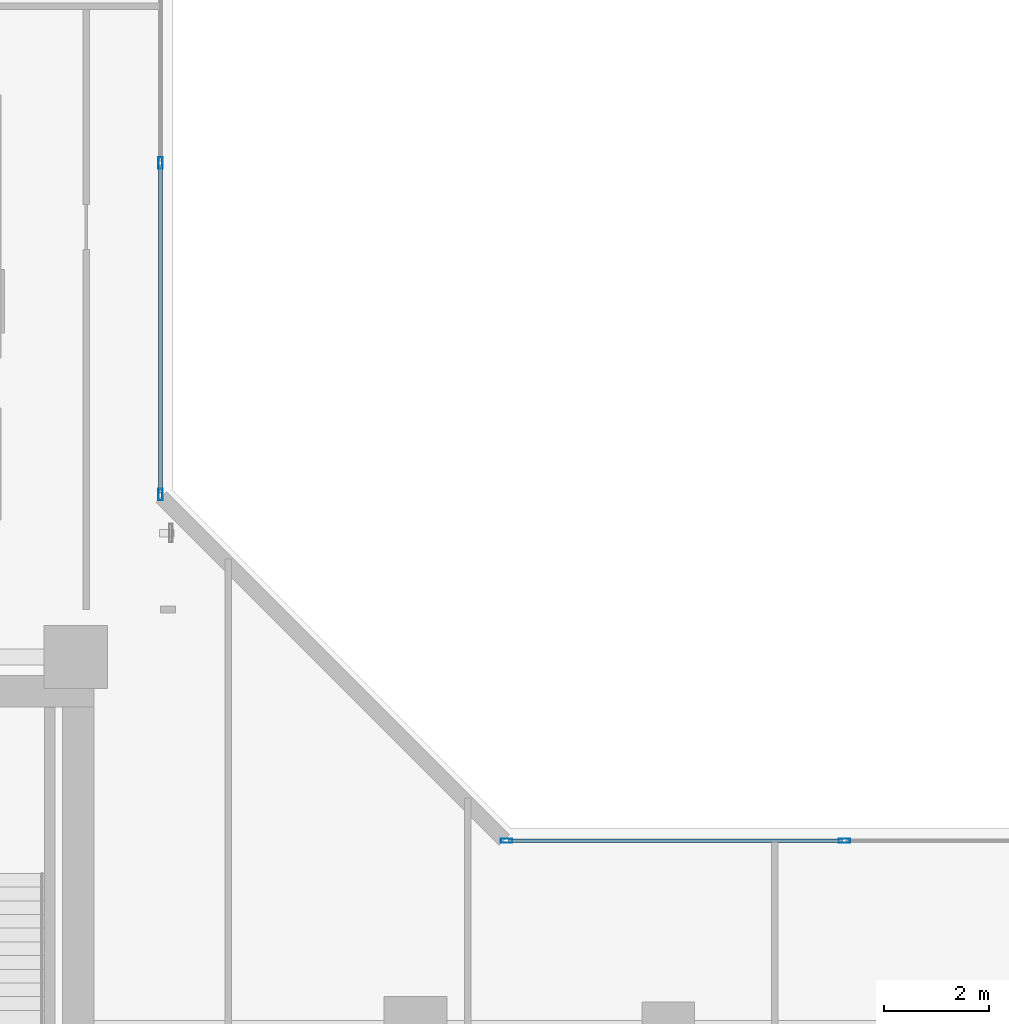
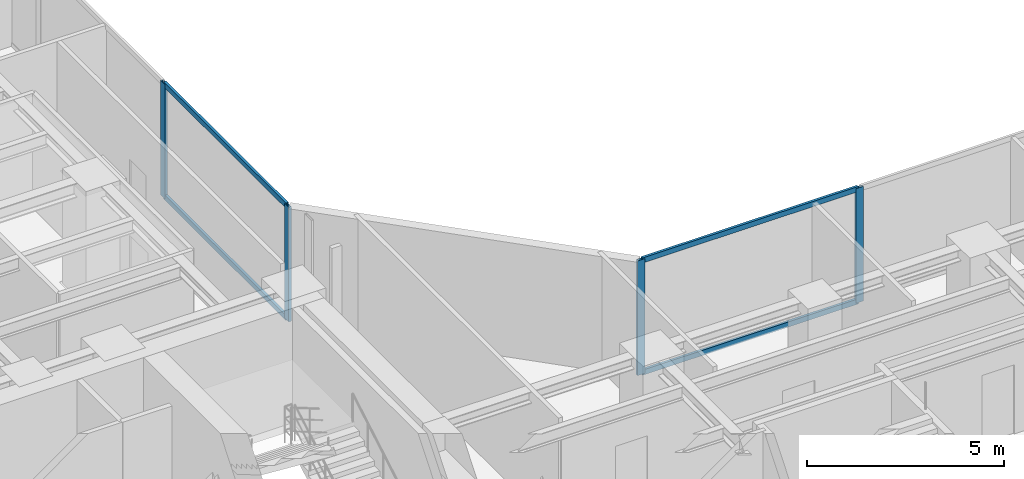
# One storey, part 9 of 24: 8 members, 2 elements without a shape of their own.
"""IFC4 building model written with IfcOpenShell, lengths in metres."""

import ifcopenshell
import ifcopenshell.guid

model = None  # the IFC model being written
_history = None  # IfcOwnerHistory: only IFC2X3 demands one
_inside = {}  # id of a spatial element -> (the spatial element, [elements in it])
_under = {}  # id of a project, library or spatial element -> (it, [spatial elements below it])
_declared = {}  # id of a project -> (the project, [libraries it declares])
_typed = {}  # id of a type object -> (the type object, [elements of that type])
_made_of = {}  # id of a material, layer set ... -> (it, [elements and type objects made of it])


def new_model(schema):
    """Start an empty IFC model of exactly this schema.

    Asked for "IFC4X3", IfcOpenShell would pick the latest addendum, in which some entities
    have other attributes; the version numbers below select the first issue.
    IFC2X3 requires an IfcOwnerHistory on every rooted entity: one is made here for all.
    """
    global model, _history
    if schema == "IFC4X3":
        model = ifcopenshell.file(schema_version=(4, 3, 0, 0))
    else:
        model = ifcopenshell.file(schema=schema)
    _inside.clear()
    _under.clear()
    _declared.clear()
    _typed.clear()
    _made_of.clear()
    _history = None
    if model.schema == "IFC2X3":
        org = make("IfcOrganization", Name="unknown")
        user = make(
            "IfcPersonAndOrganization",
            ThePerson=make("IfcPerson", FamilyName="unknown"),
            TheOrganization=org,
        )
        app = make(
            "IfcApplication",
            ApplicationDeveloper=org,
            Version="unknown",
            ApplicationFullName="unknown",
            ApplicationIdentifier="unknown",
        )
        _history = make(
            "IfcOwnerHistory",
            OwningUser=user,
            OwningApplication=app,
            ChangeAction="ADDED",
            CreationDate=0,
        )
    return model


def make(cls, **values):
    """One entity of the class cls with the attributes given. An attribute that is None is left unset."""
    return model.create_entity(
        cls, **{name: value for name, value in values.items() if value is not None}
    )


def rooted(cls, **values):
    """An entity with a GlobalId (a new one), such as an element, a storey or a relation."""
    return make(cls, GlobalId=ifcopenshell.guid.new(), OwnerHistory=_history, **values)


def si_unit(unit_type, name, prefix=None):
    """IfcSIUnit, for example si_unit("LENGTHUNIT", "METRE", prefix="MILLI")."""
    return make("IfcSIUnit", UnitType=unit_type, Prefix=prefix, Name=name)


def assignment(units):
    """IfcUnitAssignment: the units of a project."""
    return None if units is None else make("IfcUnitAssignment", Units=units)


def point(xyz):
    """IfcCartesianPoint."""
    return None if xyz is None else make("IfcCartesianPoint", Coordinates=xyz)


def direction(xyz):
    """IfcDirection."""
    return None if xyz is None else make("IfcDirection", DirectionRatios=xyz)


def frame(location, z_axis=None, x_axis=None):
    """IfcAxis2Placement3D, a coordinate frame: its origin and axes. An axis left out is left unset."""
    return make(
        "IfcAxis2Placement3D",
        Location=point(location),
        Axis=direction(z_axis),
        RefDirection=direction(x_axis),
    )


def frame_2d(location, x_axis=None):
    """IfcAxis2Placement2D, a coordinate frame in the plane: its origin and x axis."""
    return make(
        "IfcAxis2Placement2D", Location=point(location), RefDirection=direction(x_axis)
    )


def origin():
    """The frame at (0, 0, 0) with its axes left unset."""
    return frame((0.0, 0.0, 0.0))


def origin_with_axes():
    """The frame at (0, 0, 0) with the z axis (0, 0, 1) and the x axis (1, 0, 0) written out."""
    return frame((0.0, 0.0, 0.0), z_axis=(0.0, 0.0, 1.0), x_axis=(1.0, 0.0, 0.0))


def origin_2d():
    """The frame at (0, 0) in the plane with its x axis left unset."""
    return frame_2d((0.0, 0.0))


def place(relative_to, where):
    """IfcLocalPlacement: puts the frame where relative to a parent placement (None: the world)."""
    return make(
        "IfcLocalPlacement", PlacementRelTo=relative_to, RelativePlacement=where
    )


def context(
    kind, dimensions, precision=None, world=None, true_north=None, identifier=None
):
    """IfcGeometricRepresentationContext, for example the 3D "Model" context."""
    return make(
        "IfcGeometricRepresentationContext",
        ContextIdentifier=identifier,
        ContextType=kind,
        CoordinateSpaceDimension=dimensions,
        Precision=precision,
        WorldCoordinateSystem=world,
        TrueNorth=true_north,
    )


def subcontext(parent, identifier, kind, view, scale=None):
    """IfcGeometricRepresentationSubContext, for example "Body" below "Model"."""
    return make(
        "IfcGeometricRepresentationSubContext",
        ContextIdentifier=identifier,
        ContextType=kind,
        ParentContext=parent,
        TargetScale=scale,
        TargetView=view,
    )


def project(units=None, contexts=None):
    """IfcProject with its units and contexts."""
    return rooted(
        "IfcProject",
        Name="project",
        RepresentationContexts=contexts,
        UnitsInContext=assignment(units),
    )


def spatial(cls, under=None, at=None, **own):
    """A site, building, storey or space (cls), placed at a placement, below another one or the project."""
    s = rooted(cls, ObjectPlacement=at, **own)
    if under is not None:
        _under.setdefault(under.id(), (under, []))[1].append(s)
    return s


def profile(cls, at=None, kind="AREA", **sizes):
    """A parametric profile (cls). Its sizes go by their IFC names, for example OverallWidth=200.0."""
    return make(cls, ProfileType=kind, Position=at, **sizes)


def hollow_rectangle(**sizes):
    """IfcRectangleHollowProfileDef."""
    return profile("IfcRectangleHollowProfileDef", **sizes)


def extrude(swept, where, along, depth):
    """IfcExtrudedAreaSolid: the profile swept, set in the frame where, extruded along a direction by depth."""
    return make(
        "IfcExtrudedAreaSolid",
        SweptArea=swept,
        Position=where,
        ExtrudedDirection=direction(along),
        Depth=depth,
    )


def shape(context_of_items, identifier, shape_type, items):
    """IfcShapeRepresentation: the items that make up one representation, for example the "Body"."""
    return make(
        "IfcShapeRepresentation",
        ContextOfItems=context_of_items,
        RepresentationIdentifier=identifier,
        RepresentationType=shape_type,
        Items=items,
    )


def source(mapping_origin, context_of_items, identifier, shape_type, items):
    """IfcRepresentationMap: a shape defined once, which mapped items show again and again."""
    return make(
        "IfcRepresentationMap",
        MappingOrigin=mapping_origin,
        MappedRepresentation=shape(context_of_items, identifier, shape_type, items),
    )


def transform(
    local_origin,
    x_axis=None,
    y_axis=None,
    z_axis=None,
    scale=None,
    scale2=None,
    scale3=None,
    uniform=True,
):
    """IfcCartesianTransformationOperator3D, or its non-uniform kind. x_axis, y_axis, z_axis: its Axis1, 2, 3."""
    if uniform:
        return make(
            "IfcCartesianTransformationOperator3D",
            Axis1=direction(x_axis),
            Axis2=direction(y_axis),
            LocalOrigin=point(local_origin),
            Scale=scale,
            Axis3=direction(z_axis),
        )
    return make(
        "IfcCartesianTransformationOperator3DnonUniform",
        Axis1=direction(x_axis),
        Axis2=direction(y_axis),
        LocalOrigin=point(local_origin),
        Scale=scale,
        Axis3=direction(z_axis),
        Scale2=scale2,
        Scale3=scale3,
    )


def mapped(mapping_source, mapping_target):
    """IfcMappedItem: shows the shape of a source again, moved by a transform."""
    return make(
        "IfcMappedItem", MappingSource=mapping_source, MappingTarget=mapping_target
    )


def material(Name=None, Category=None):
    """IfcMaterial."""
    return make("IfcMaterial", Name=Name, Category=Category)


def layer(
    of_material, thickness, ventilated=None, Name=None, Category=None, Priority=None
):
    """IfcMaterialLayer: one layer of a wall or slab, of a material (None: an air gap)."""
    return make(
        "IfcMaterialLayer",
        Material=of_material,
        LayerThickness=thickness,
        IsVentilated=ventilated,
        Name=Name,
        Category=Category,
        Priority=Priority,
    )


def layer_set(layers, Name=None):
    """IfcMaterialLayerSet."""
    return make("IfcMaterialLayerSet", MaterialLayers=layers, LayerSetName=Name)


def material_profile(
    of_material, cross_section, Name=None, Category=None, Priority=None
):
    """IfcMaterialProfile: a cross section and its material."""
    return make(
        "IfcMaterialProfile",
        Name=Name,
        Material=of_material,
        Profile=cross_section,
        Priority=Priority,
        Category=Category,
    )


def profile_set(profiles, Name=None, composite=None):
    """IfcMaterialProfileSet."""
    return make(
        "IfcMaterialProfileSet",
        Name=Name,
        MaterialProfiles=profiles,
        CompositeProfile=composite,
    )


def made_of(thing, what):
    """Note that an element or type object is made of a material, layer set ...; save() writes the relation."""
    if what is not None:
        _made_of.setdefault(what.id(), (what, []))[1].append(thing)
    return thing


def type_object(cls, material=None, **own):
    """A type object (cls), such as IfcWallType, which elements share."""
    return made_of(rooted(cls, **own), material)


def element(
    cls,
    number,
    at=None,
    inside=None,
    cuts=None,
    type_object=None,
    material=None,
    context=None,
    identifier="Body",
    shape_type=None,
    held_by="IfcProductDefinitionShape",
    body=None,
    shapes=None,
    **own,
):
    """One element of the class cls, such as IfcWall. Its Tag is "e" and its number.

    at: its placement. inside: the storey or other place that contains it. cuts: it is an
    opening in that element (IfcRelVoidsElement). A single representation is given by context,
    identifier, shape_type and body (its items); several are given by shapes. held_by: the class
    of the entity that holds the representations. save() writes the other relations.
    """
    e = rooted(cls, Tag="e%d" % number, ObjectPlacement=at, **own)
    if body is not None:
        shapes = [shape(context, identifier, shape_type, body)]
    if shapes is not None:
        e.Representation = make(held_by, Representations=shapes)
    if inside is not None:
        _inside.setdefault(inside.id(), (inside, []))[1].append(e)
    if cuts is not None:
        rooted(
            "IfcRelVoidsElement", RelatingBuildingElement=cuts, RelatedOpeningElement=e
        )
    if type_object is not None:
        _typed.setdefault(type_object.id(), (type_object, []))[1].append(e)
    return made_of(e, material)


def aggregate(whole, parts):
    """IfcRelAggregates: a whole, such as a stair, and the parts it consists of."""
    return rooted("IfcRelAggregates", RelatingObject=whole, RelatedObjects=parts)


def save(model, path):
    """Write the relations noted so far, then the file.

    IfcRelAggregates (storeys below a building ...), IfcRelContainedInSpatialStructure (elements
    in a storey), IfcRelDefinesByType, IfcRelAssociatesMaterial and IfcRelDeclares: one each for
    every whole, place, type object, material and project.
    """
    for whole, parts in _under.values():
        aggregate(whole, parts)
    for where, things in _inside.values():
        rooted(
            "IfcRelContainedInSpatialStructure",
            RelatedElements=things,
            RelatingStructure=where,
        )
    for kind, things in _typed.values():
        rooted("IfcRelDefinesByType", RelatedObjects=things, RelatingType=kind)
    for what, things in _made_of.values():
        rooted("IfcRelAssociatesMaterial", RelatedObjects=things, RelatingMaterial=what)
    for by, libraries in _declared.values():
        rooted("IfcRelDeclares", RelatingContext=by, RelatedDefinitions=libraries)
    model.write(path)


model = new_model("IFC4")

# Units and contexts
model_context = context("Model", 3, precision=1e-05, world=origin(), true_north=direction((0.0, 1.0)))
body_context = subcontext(model_context, "Body", "Model", "MODEL_VIEW")
ifc_project = project(units=[si_unit("LENGTHUNIT", "METRE"), si_unit("AREAUNIT", "SQUARE_METRE"), si_unit("VOLUMEUNIT", "CUBIC_METRE"), si_unit("PLANEANGLEUNIT", "RADIAN"), si_unit("MASSUNIT", "GRAM", prefix="KILO")], contexts=[model_context])

# Site, building, storey
site_placement = place(None, origin())
site = spatial("IfcSite", under=ifc_project, at=site_placement, CompositionType="ELEMENT")
building_placement = place(site_placement, origin())
building = spatial("IfcBuilding", under=site, at=building_placement, Name="Kolvaren Waterfront Exchange", CompositionType="ELEMENT")
storey_placement = place(building_placement, frame((0.0, 0.0, 153.800048828125)))
storey = spatial("IfcBuildingStorey", under=building, at=storey_placement, Name="L39", CompositionType="ELEMENT", Elevation=153.800048828125)

# Curtain wall, members
ifc_material_1 = material(Name="Anodised bronze aluminium 6063-T6", Category="aluminium")
ifc_layer = layer(ifc_material_1, 0.219970703125, Name="Anodised bronze aluminium 6063-T6")
ifc_layer_set = layer_set([ifc_layer], Name="Anodised bronze aluminium 6063-T6")
curtain_wall_type = type_object("IfcCurtainWallType", Name="ARC-CW-SYS1", PredefinedType="USERDEFINED", material=ifc_layer_set)
curtain_wall_1_placement = place(storey_placement, origin())
curtain_wall_1 = element("IfcCurtainWall", 1, at=curtain_wall_1_placement, inside=storey, type_object=curtain_wall_type, Name="L39 stick curtain wall CW1 (CW-L39-NE)", ObjectType="STICK CURTAIN WALL", PredefinedType="USERDEFINED")
ifc_material_2 = material(Name="Anodised aluminium 6063-T6", Category="aluminium")
ifc_material_profile_1 = material_profile(ifc_material_2, hollow_rectangle(XDim=0.080078125, YDim=0.219970703125, WallThickness=0.0048828125, at=origin_2d()), Name="ALU-MUL-220x80x5")
ifc_profile_set_1 = profile_set([ifc_material_profile_1], Name="Anodised aluminium 6063-T6")
member_type_1 = type_object("IfcMemberType", Name="ARC-CWM-220", PredefinedType="MULLION", material=ifc_profile_set_1)
shared_shape_1 = source(origin_with_axes(), body_context, "Body", "SweptSolid", [
    extrude(hollow_rectangle(XDim=0.080078125, YDim=0.219970703125, WallThickness=0.0048828125, at=origin_2d()), origin(), (0.0, 0.0, 1.0), 3.56005859375),
])
member_1_placement = place(storey_placement, frame((22.360107421875, 27.530029296875, 0.0), z_axis=(0.0, 0.0, 1.0), x_axis=(-1.0, 0.0, 0.0)))
member_1 = element("IfcMember", 2, at=member_1_placement, type_object=member_type_1, Name="CW1 mullion 1", PredefinedType="MULLION", context=body_context, shape_type="MappedRepresentation", body=[
    mapped(shared_shape_1, transform((0.0, 0.0, 0.0), x_axis=(1.0, 0.0, 0.0), y_axis=(0.0, 1.0, 0.0), z_axis=(0.0, 0.0, 1.0), scale=1.0)),
])
member_2_placement = place(storey_placement, frame((22.360107421875, 33.82666015625, 0.0), z_axis=(0.0, 0.0, 1.0), x_axis=(-1.0, 0.0, 0.0)))
member_2 = element("IfcMember", 3, at=member_2_placement, type_object=member_type_1, Name="CW1 mullion 2", PredefinedType="MULLION", context=body_context, shape_type="MappedRepresentation", body=[
    mapped(shared_shape_1, transform((0.0, 0.0, 0.0), x_axis=(1.0, 0.0, 0.0), y_axis=(0.0, 1.0, 0.0), z_axis=(0.0, 0.0, 1.0), scale=1.0)),
])

curtain_wall_2_placement = place(storey_placement, origin())
curtain_wall_2 = element("IfcCurtainWall", 4, at=curtain_wall_2_placement, inside=storey, type_object=curtain_wall_type, Name="L39 stick curtain wall CW1 (CW-L39-EN)", ObjectType="STICK CURTAIN WALL", PredefinedType="USERDEFINED")
member_3_placement = place(storey_placement, frame((28.929931640625, 20.9599609375, 0.0), z_axis=(0.0, 0.0, 1.0), x_axis=(0.0, 1.0, 0.0)))
member_3 = element("IfcMember", 5, at=member_3_placement, type_object=member_type_1, Name="CW1 mullion 1", PredefinedType="MULLION", context=body_context, shape_type="MappedRepresentation", body=[
    mapped(shared_shape_1, transform((0.0, 0.0, 0.0), x_axis=(1.0, 0.0, 0.0), y_axis=(0.0, 1.0, 0.0), z_axis=(0.0, 0.0, 1.0), scale=1.0)),
])
member_4_placement = place(storey_placement, frame((35.342529296875, 20.9599609375, 0.0), z_axis=(0.0, 0.0, 1.0), x_axis=(0.0, 1.0, 0.0)))
member_4 = element("IfcMember", 6, at=member_4_placement, type_object=member_type_1, Name="CW1 mullion 2", PredefinedType="MULLION", context=body_context, shape_type="MappedRepresentation", body=[
    mapped(shared_shape_1, transform((0.0, 0.0, 0.0), x_axis=(1.0, 0.0, 0.0), y_axis=(0.0, 1.0, 0.0), z_axis=(0.0, 0.0, 1.0), scale=1.0)),
])

# Member
ifc_material_profile_2 = material_profile(ifc_material_2, hollow_rectangle(XDim=0.074951171875, YDim=0.159912109375, WallThickness=0.00439453125, at=origin_2d()), Name="ALU-TRN-160x75x4.5")
ifc_profile_set_2 = profile_set([ifc_material_profile_2], Name="Anodised aluminium 6063-T6")
member_type_2 = type_object("IfcMemberType", Name="ARC-CWT-160", PredefinedType="USERDEFINED", material=ifc_profile_set_2)
shared_shape_2 = source(origin_with_axes(), body_context, "Body", "SweptSolid", [
    extrude(hollow_rectangle(XDim=0.074951171875, YDim=0.159912109375, WallThickness=0.00439453125, at=origin_2d()), origin(), (0.0, 0.0, 1.0), 6.216552734375),
])
member_5_placement = place(storey_placement, frame((22.360107421875, 27.570068359375, 0.037353515625), z_axis=(0.0, 1.0, 0.0), x_axis=(-1.0, 0.0, 0.0)))
member_5 = element("IfcMember", 7, at=member_5_placement, type_object=member_type_2, Name="CW1 transom 1.1", ObjectType="TRANSOM", PredefinedType="USERDEFINED", context=body_context, shape_type="MappedRepresentation", body=[
    mapped(shared_shape_2, transform((0.0, 0.0, 0.0), x_axis=(1.0, 0.0, 0.0), y_axis=(0.0, 1.0, 0.0), z_axis=(0.0, 0.0, 1.0), scale=1.0)),
])

member_6_placement = place(storey_placement, frame((22.360107421875, 27.570068359375, 3.5224609375), z_axis=(0.0, 1.0, 0.0), x_axis=(-1.0, 0.0, 0.0)))
member_6 = element("IfcMember", 8, at=member_6_placement, type_object=member_type_2, Name="CW1 transom 1.2", ObjectType="TRANSOM", PredefinedType="USERDEFINED", context=body_context, shape_type="MappedRepresentation", body=[
    mapped(shared_shape_2, transform((0.0, 0.0, 0.0), x_axis=(1.0, 0.0, 0.0), y_axis=(0.0, 1.0, 0.0), z_axis=(0.0, 0.0, 1.0), scale=1.0)),
])

aggregate(curtain_wall_1, [member_1, member_2, member_5, member_6])

shared_shape_3 = source(origin_with_axes(), body_context, "Body", "SweptSolid", [
    extrude(hollow_rectangle(XDim=0.074951171875, YDim=0.159912109375, WallThickness=0.00439453125, at=origin_2d()), origin(), (0.0, 0.0, 1.0), 6.33251953125),
])
member_7_placement = place(storey_placement, frame((28.969970703125, 20.9599609375, 0.037353515625), z_axis=(1.0, 0.0, 0.0), x_axis=(0.0, 1.0, 0.0)))
member_7 = element("IfcMember", 9, at=member_7_placement, type_object=member_type_2, Name="CW1 transom 1.1", ObjectType="TRANSOM", PredefinedType="USERDEFINED", context=body_context, shape_type="MappedRepresentation", body=[
    mapped(shared_shape_3, transform((0.0, 0.0, 0.0), x_axis=(1.0, 0.0, 0.0), y_axis=(0.0, 1.0, 0.0), z_axis=(0.0, 0.0, 1.0), scale=1.0)),
])

member_8_placement = place(storey_placement, frame((28.969970703125, 20.9599609375, 3.5224609375), z_axis=(1.0, 0.0, 0.0), x_axis=(0.0, 1.0, 0.0)))
member_8 = element("IfcMember", 10, at=member_8_placement, type_object=member_type_2, Name="CW1 transom 1.2", ObjectType="TRANSOM", PredefinedType="USERDEFINED", context=body_context, shape_type="MappedRepresentation", body=[
    mapped(shared_shape_3, transform((0.0, 0.0, 0.0), x_axis=(1.0, 0.0, 0.0), y_axis=(0.0, 1.0, 0.0), z_axis=(0.0, 0.0, 1.0), scale=1.0)),
])

aggregate(curtain_wall_2, [member_3, member_4, member_7, member_8])

save(model, "model.ifc")
